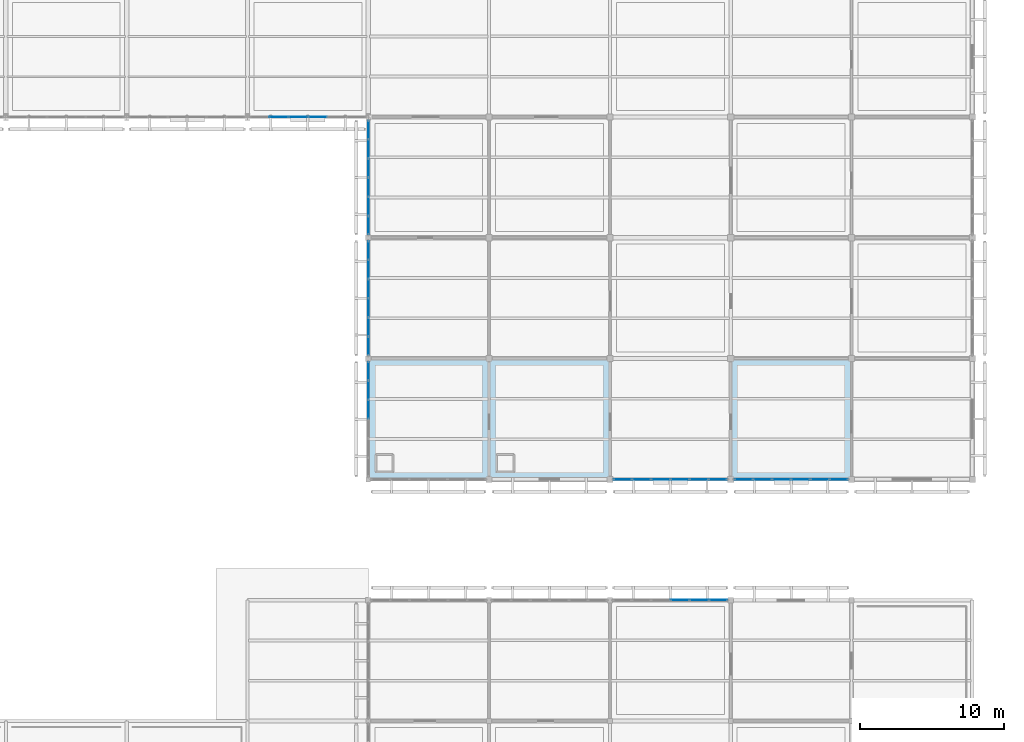
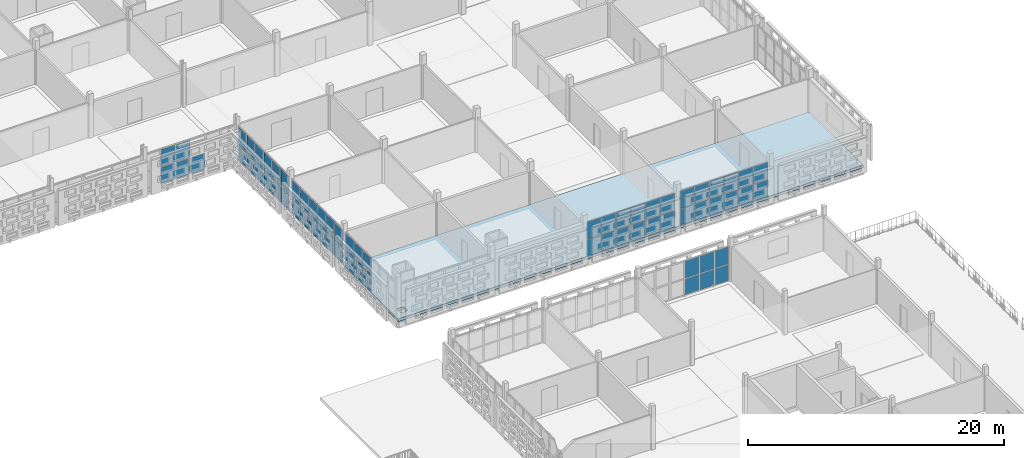
# One storey, part 91 of 166: 65 plates, 1 slab, 7 elements without a shape of their own.
"""IFC4 building model written with IfcOpenShell, lengths in metres."""

from ifc_helpers import new_model, si_unit, direction, frame, origin, origin_2d, place, context, subcontext, project, spatial, polyline, rectangle, outline, extrude, material, layer, layer_set, type_object, element, aggregate, save


model = new_model("IFC4")

# Units and contexts
model_context = context("Model", 3, precision=1e-05, world=origin(), true_north=direction((0.0, 1.0)))
body_context = subcontext(model_context, "Body", "Model", "MODEL_VIEW")
ifc_project = project(units=[si_unit("LENGTHUNIT", "METRE"), si_unit("AREAUNIT", "SQUARE_METRE"), si_unit("VOLUMEUNIT", "CUBIC_METRE"), si_unit("PLANEANGLEUNIT", "RADIAN"), si_unit("MASSUNIT", "GRAM", prefix="KILO")], contexts=[model_context])

# Site, building, storey
site_placement = place(None, origin())
site = spatial("IfcSite", under=ifc_project, at=site_placement, CompositionType="ELEMENT")
building_placement = place(site_placement, origin())
building = spatial("IfcBuilding", under=site, at=building_placement, Name="Varnapada Polytechnic", CompositionType="ELEMENT")
storey_placement = place(building_placement, frame((0.0, 0.0, 9.60009765625)))
storey = spatial("IfcBuildingStorey", under=building, at=storey_placement, Name="L02", CompositionType="ELEMENT", Elevation=9.60009765625)

# Curtain wall, plates
ifc_material_1 = material(Name="Double low-E laminated glass", Category="glass")
ifc_layer_1 = layer(ifc_material_1, 0.159912109375)
ifc_layer_set_1 = layer_set([ifc_layer_1], Name="Double low-E laminated glass")
curtain_wall_type_1 = type_object("IfcCurtainWallType", Name="Curtain Wall CW-01", PredefinedType="NOTDEFINED", material=ifc_layer_set_1)
curtain_wall_1_placement = place(storey_placement, origin())
curtain_wall_1 = element("IfcCurtainWall", 1, at=curtain_wall_1_placement, inside=storey, type_object=curtain_wall_type_1, Name="L02 unitised curtain wall CW-01 (180)", PredefinedType="NOTDEFINED")
ifc_layer_2 = layer(ifc_material_1, 0.028076171875)
ifc_layer_set_2 = layer_set([ifc_layer_2], Name="Double low-E laminated glass")
plate_type_1 = type_object("IfcPlateType", Name="Curtain Panel PNL-01", PredefinedType="CURTAIN_PANEL", material=ifc_layer_set_2)
plate_1_placement = place(storey_placement, frame((130.875, 84.0, 0.06005859375), z_axis=(0.0, 0.0, 1.0), x_axis=(-1.0, 0.0, 0.0)))
plate_1 = element("IfcPlate", 2, at=plate_1_placement, type_object=plate_type_1, Name="CW-01 panel 3.1", PredefinedType="CURTAIN_PANEL", context=body_context, shape_type="SweptSolid", body=[
    extrude(rectangle(XDim=1.2900390625, YDim=0.028076171875, at=origin_2d()), origin(), (0.0, 0.0, 1.0), 1.522705078125),
])
plate_2_placement = place(storey_placement, frame((129.52490234375, 84.0, 0.06005859375), z_axis=(0.0, 0.0, 1.0), x_axis=(-1.0, 0.0, 0.0)))
plate_2 = element("IfcPlate", 3, at=plate_2_placement, type_object=plate_type_1, Name="CW-01 panel 4.1", PredefinedType="CURTAIN_PANEL", context=body_context, shape_type="SweptSolid", body=[
    extrude(rectangle(XDim=1.2900390625, YDim=0.028076171875, at=origin_2d()), origin(), (0.0, 0.0, 1.0), 1.522705078125),
])
plate_3_placement = place(storey_placement, frame((129.52490234375, 84.0, 1.642578125), z_axis=(0.0, 0.0, 1.0), x_axis=(-1.0, 0.0, 0.0)))
plate_3 = element("IfcPlate", 4, at=plate_3_placement, type_object=plate_type_1, Name="CW-01 panel 4.2", PredefinedType="CURTAIN_PANEL", context=body_context, shape_type="SweptSolid", body=[
    extrude(rectangle(XDim=1.2900390625, YDim=0.028076171875, at=origin_2d()), origin(), (0.0, 0.0, 1.0), 1.6572265625),
])
plate_4_placement = place(storey_placement, frame((128.175048828125, 84.0, 0.06005859375), z_axis=(0.0, 0.0, 1.0), x_axis=(-1.0, 0.0, 0.0)))
plate_4 = element("IfcPlate", 5, at=plate_4_placement, type_object=plate_type_1, Name="CW-01 panel 5.1", PredefinedType="CURTAIN_PANEL", context=body_context, shape_type="SweptSolid", body=[
    extrude(rectangle(XDim=1.2900390625, YDim=0.028076171875, at=origin_2d()), origin(), (0.0, 0.0, 1.0), 1.522705078125),
])
plate_5_placement = place(storey_placement, frame((128.175048828125, 84.0, 1.642578125), z_axis=(0.0, 0.0, 1.0), x_axis=(-1.0, 0.0, 0.0)))
plate_5 = element("IfcPlate", 6, at=plate_5_placement, type_object=plate_type_1, Name="CW-01 panel 5.2", PredefinedType="CURTAIN_PANEL", context=body_context, shape_type="SweptSolid", body=[
    extrude(rectangle(XDim=1.2900390625, YDim=0.028076171875, at=origin_2d()), origin(), (0.0, 0.0, 1.0), 1.6572265625),
])
aggregate(curtain_wall_1, [plate_1, plate_2, plate_3, plate_4, plate_5])

curtain_wall_2_placement = place(storey_placement, origin())
curtain_wall_2 = element("IfcCurtainWall", 7, at=curtain_wall_2_placement, inside=storey, type_object=curtain_wall_type_1, Name="L02 unitised curtain wall CW-01 (189)", PredefinedType="NOTDEFINED")
plate_6_placement = place(storey_placement, frame((134.39990234375, 63.659912109375, 0.06005859375), z_axis=(0.0, 0.0, 1.0), x_axis=(0.0, 1.0, 0.0)))
plate_6 = element("IfcPlate", 8, at=plate_6_placement, type_object=plate_type_1, Name="CW-01 panel 4.1", PredefinedType="CURTAIN_PANEL", context=body_context, shape_type="SweptSolid", body=[
    extrude(rectangle(XDim=1.280029296875, YDim=0.028076171875, at=origin_2d()), origin(), (0.0, 0.0, 1.0), 1.522705078125),
])
plate_7_placement = place(storey_placement, frame((134.39990234375, 63.659912109375, 1.642578125), z_axis=(0.0, 0.0, 1.0), x_axis=(0.0, 1.0, 0.0)))
plate_7 = element("IfcPlate", 9, at=plate_7_placement, type_object=plate_type_1, Name="CW-01 panel 4.2", PredefinedType="CURTAIN_PANEL", context=body_context, shape_type="SweptSolid", body=[
    extrude(rectangle(XDim=1.280029296875, YDim=0.028076171875, at=origin_2d()), origin(), (0.0, 0.0, 1.0), 1.6572265625),
])
plate_8_placement = place(storey_placement, frame((134.39990234375, 65.0, 0.06005859375), z_axis=(0.0, 0.0, 1.0), x_axis=(0.0, 1.0, 0.0)))
plate_8 = element("IfcPlate", 10, at=plate_8_placement, type_object=plate_type_1, Name="CW-01 panel 5.1", PredefinedType="CURTAIN_PANEL", context=body_context, shape_type="SweptSolid", body=[
    extrude(rectangle(XDim=1.280029296875, YDim=0.028076171875, at=origin_2d()), origin(), (0.0, 0.0, 1.0), 1.522705078125),
])
plate_9_placement = place(storey_placement, frame((134.39990234375, 65.0, 1.642578125), z_axis=(0.0, 0.0, 1.0), x_axis=(0.0, 1.0, 0.0)))
plate_9 = element("IfcPlate", 11, at=plate_9_placement, type_object=plate_type_1, Name="CW-01 panel 5.2", PredefinedType="CURTAIN_PANEL", context=body_context, shape_type="SweptSolid", body=[
    extrude(rectangle(XDim=1.280029296875, YDim=0.028076171875, at=origin_2d()), origin(), (0.0, 0.0, 1.0), 1.6572265625),
])
plate_10_placement = place(storey_placement, frame((134.39990234375, 66.324951171875, 0.06005859375), z_axis=(0.0, 0.0, 1.0), x_axis=(0.0, 1.0, 0.0)))
plate_10 = element("IfcPlate", 12, at=plate_10_placement, type_object=plate_type_1, Name="CW-01 panel 6.1", PredefinedType="CURTAIN_PANEL", context=body_context, shape_type="SweptSolid", body=[
    extrude(rectangle(XDim=1.25, YDim=0.028076171875, at=origin_2d()), origin(), (0.0, 0.0, 1.0), 1.522705078125),
])
plate_11_placement = place(storey_placement, frame((134.39990234375, 66.324951171875, 1.642578125), z_axis=(0.0, 0.0, 1.0), x_axis=(0.0, 1.0, 0.0)))
plate_11 = element("IfcPlate", 13, at=plate_11_placement, type_object=plate_type_1, Name="CW-01 panel 6.2", PredefinedType="CURTAIN_PANEL", context=body_context, shape_type="SweptSolid", body=[
    extrude(rectangle(XDim=1.25, YDim=0.028076171875, at=origin_2d()), origin(), (0.0, 0.0, 1.0), 1.6572265625),
])
aggregate(curtain_wall_2, [plate_6, plate_7, plate_8, plate_9, plate_10, plate_11])

curtain_wall_3_placement = place(storey_placement, origin())
curtain_wall_3 = element("IfcCurtainWall", 14, at=curtain_wall_3_placement, inside=storey, type_object=curtain_wall_type_1, Name="L02 unitised curtain wall CW-01 (190)", PredefinedType="NOTDEFINED")
plate_12_placement = place(storey_placement, frame((134.39990234375, 68.0732421875, 0.06005859375), z_axis=(0.0, 0.0, 1.0), x_axis=(0.0, 1.0, 0.0)))
plate_12 = element("IfcPlate", 15, at=plate_12_placement, type_object=plate_type_1, Name="CW-01 panel 1.1", PredefinedType="CURTAIN_PANEL", context=body_context, shape_type="SweptSolid", body=[
    extrude(rectangle(XDim=1.24658203125, YDim=0.028076171875, at=origin_2d()), origin(), (0.0, 0.0, 1.0), 1.522705078125),
])
plate_13_placement = place(storey_placement, frame((134.39990234375, 68.0732421875, 1.642578125), z_axis=(0.0, 0.0, 1.0), x_axis=(0.0, 1.0, 0.0)))
plate_13 = element("IfcPlate", 16, at=plate_13_placement, type_object=plate_type_1, Name="CW-01 panel 1.2", PredefinedType="CURTAIN_PANEL", context=body_context, shape_type="SweptSolid", body=[
    extrude(rectangle(XDim=1.24658203125, YDim=0.028076171875, at=origin_2d()), origin(), (0.0, 0.0, 1.0), 1.6572265625),
])
plate_14_placement = place(storey_placement, frame((134.39990234375, 69.39501953125, 0.06005859375), z_axis=(0.0, 0.0, 1.0), x_axis=(0.0, 1.0, 0.0)))
plate_14 = element("IfcPlate", 17, at=plate_14_placement, type_object=plate_type_1, Name="CW-01 panel 2.1", PredefinedType="CURTAIN_PANEL", context=body_context, shape_type="SweptSolid", body=[
    extrude(rectangle(XDim=1.276611328125, YDim=0.028076171875, at=origin_2d()), origin(), (0.0, 0.0, 1.0), 1.522705078125),
])
plate_15_placement = place(storey_placement, frame((134.39990234375, 69.39501953125, 1.642578125), z_axis=(0.0, 0.0, 1.0), x_axis=(0.0, 1.0, 0.0)))
plate_15 = element("IfcPlate", 18, at=plate_15_placement, type_object=plate_type_1, Name="CW-01 panel 2.2", PredefinedType="CURTAIN_PANEL", context=body_context, shape_type="SweptSolid", body=[
    extrude(rectangle(XDim=1.276611328125, YDim=0.028076171875, at=origin_2d()), origin(), (0.0, 0.0, 1.0), 1.6572265625),
])
plate_16_placement = place(storey_placement, frame((134.39990234375, 70.731689453125, 0.06005859375), z_axis=(0.0, 0.0, 1.0), x_axis=(0.0, 1.0, 0.0)))
plate_16 = element("IfcPlate", 19, at=plate_16_placement, type_object=plate_type_1, Name="CW-01 panel 3.1", PredefinedType="CURTAIN_PANEL", context=body_context, shape_type="SweptSolid", body=[
    extrude(rectangle(XDim=1.276611328125, YDim=0.028076171875, at=origin_2d()), origin(), (0.0, 0.0, 1.0), 1.522705078125),
])
plate_17_placement = place(storey_placement, frame((134.39990234375, 70.731689453125, 1.642578125), z_axis=(0.0, 0.0, 1.0), x_axis=(0.0, 1.0, 0.0)))
plate_17 = element("IfcPlate", 20, at=plate_17_placement, type_object=plate_type_1, Name="CW-01 panel 3.2", PredefinedType="CURTAIN_PANEL", context=body_context, shape_type="SweptSolid", body=[
    extrude(rectangle(XDim=1.276611328125, YDim=0.028076171875, at=origin_2d()), origin(), (0.0, 0.0, 1.0), 1.6572265625),
])
plate_18_placement = place(storey_placement, frame((134.39990234375, 72.068359375, 0.06005859375), z_axis=(0.0, 0.0, 1.0), x_axis=(0.0, 1.0, 0.0)))
plate_18 = element("IfcPlate", 21, at=plate_18_placement, type_object=plate_type_1, Name="CW-01 panel 4.1", PredefinedType="CURTAIN_PANEL", context=body_context, shape_type="SweptSolid", body=[
    extrude(rectangle(XDim=1.276611328125, YDim=0.028076171875, at=origin_2d()), origin(), (0.0, 0.0, 1.0), 1.522705078125),
])
plate_19_placement = place(storey_placement, frame((134.39990234375, 72.068359375, 1.642578125), z_axis=(0.0, 0.0, 1.0), x_axis=(0.0, 1.0, 0.0)))
plate_19 = element("IfcPlate", 22, at=plate_19_placement, type_object=plate_type_1, Name="CW-01 panel 4.2", PredefinedType="CURTAIN_PANEL", context=body_context, shape_type="SweptSolid", body=[
    extrude(rectangle(XDim=1.276611328125, YDim=0.028076171875, at=origin_2d()), origin(), (0.0, 0.0, 1.0), 1.6572265625),
])
plate_20_placement = place(storey_placement, frame((134.39990234375, 73.405029296875, 0.06005859375), z_axis=(0.0, 0.0, 1.0), x_axis=(0.0, 1.0, 0.0)))
plate_20 = element("IfcPlate", 23, at=plate_20_placement, type_object=plate_type_1, Name="CW-01 panel 5.1", PredefinedType="CURTAIN_PANEL", context=body_context, shape_type="SweptSolid", body=[
    extrude(rectangle(XDim=1.276611328125, YDim=0.028076171875, at=origin_2d()), origin(), (0.0, 0.0, 1.0), 1.522705078125),
])
plate_21_placement = place(storey_placement, frame((134.39990234375, 73.405029296875, 1.642578125), z_axis=(0.0, 0.0, 1.0), x_axis=(0.0, 1.0, 0.0)))
plate_21 = element("IfcPlate", 24, at=plate_21_placement, type_object=plate_type_1, Name="CW-01 panel 5.2", PredefinedType="CURTAIN_PANEL", context=body_context, shape_type="SweptSolid", body=[
    extrude(rectangle(XDim=1.276611328125, YDim=0.028076171875, at=origin_2d()), origin(), (0.0, 0.0, 1.0), 1.6572265625),
])
plate_22_placement = place(storey_placement, frame((134.39990234375, 74.7265625, 0.06005859375), z_axis=(0.0, 0.0, 1.0), x_axis=(0.0, 1.0, 0.0)))
plate_22 = element("IfcPlate", 25, at=plate_22_placement, type_object=plate_type_1, Name="CW-01 panel 6.1", PredefinedType="CURTAIN_PANEL", context=body_context, shape_type="SweptSolid", body=[
    extrude(rectangle(XDim=1.24658203125, YDim=0.028076171875, at=origin_2d()), origin(), (0.0, 0.0, 1.0), 1.522705078125),
])
plate_23_placement = place(storey_placement, frame((134.39990234375, 74.7265625, 1.642578125), z_axis=(0.0, 0.0, 1.0), x_axis=(0.0, 1.0, 0.0)))
plate_23 = element("IfcPlate", 26, at=plate_23_placement, type_object=plate_type_1, Name="CW-01 panel 6.2", PredefinedType="CURTAIN_PANEL", context=body_context, shape_type="SweptSolid", body=[
    extrude(rectangle(XDim=1.24658203125, YDim=0.028076171875, at=origin_2d()), origin(), (0.0, 0.0, 1.0), 1.6572265625),
])
aggregate(curtain_wall_3, [plate_12, plate_13, plate_14, plate_15, plate_16, plate_17, plate_18, plate_19, plate_20, plate_21, plate_22, plate_23])

curtain_wall_4_placement = place(storey_placement, origin())
curtain_wall_4 = element("IfcCurtainWall", 27, at=curtain_wall_4_placement, inside=storey, type_object=curtain_wall_type_1, Name="L02 unitised curtain wall CW-01 (191)", PredefinedType="NOTDEFINED")
plate_24_placement = place(storey_placement, frame((134.39990234375, 76.470947265625, 0.06005859375), z_axis=(0.0, 0.0, 1.0), x_axis=(0.0, 1.0, 0.0)))
plate_24 = element("IfcPlate", 28, at=plate_24_placement, type_object=plate_type_1, Name="CW-01 panel 1.1", PredefinedType="CURTAIN_PANEL", context=body_context, shape_type="SweptSolid", body=[
    extrude(rectangle(XDim=1.24169921875, YDim=0.028076171875, at=origin_2d()), origin(), (0.0, 0.0, 1.0), 1.522705078125),
])
plate_25_placement = place(storey_placement, frame((134.39990234375, 76.470947265625, 1.642578125), z_axis=(0.0, 0.0, 1.0), x_axis=(0.0, 1.0, 0.0)))
plate_25 = element("IfcPlate", 29, at=plate_25_placement, type_object=plate_type_1, Name="CW-01 panel 1.2", PredefinedType="CURTAIN_PANEL", context=body_context, shape_type="SweptSolid", body=[
    extrude(rectangle(XDim=1.24169921875, YDim=0.028076171875, at=origin_2d()), origin(), (0.0, 0.0, 1.0), 1.6572265625),
])
plate_26_placement = place(storey_placement, frame((134.39990234375, 77.78759765625, 0.06005859375), z_axis=(0.0, 0.0, 1.0), x_axis=(0.0, 1.0, 0.0)))
plate_26 = element("IfcPlate", 30, at=plate_26_placement, type_object=plate_type_1, Name="CW-01 panel 2.1", PredefinedType="CURTAIN_PANEL", context=body_context, shape_type="SweptSolid", body=[
    extrude(rectangle(XDim=1.271728515625, YDim=0.028076171875, at=origin_2d()), origin(), (0.0, 0.0, 1.0), 1.522705078125),
])
plate_27_placement = place(storey_placement, frame((134.39990234375, 77.78759765625, 1.642578125), z_axis=(0.0, 0.0, 1.0), x_axis=(0.0, 1.0, 0.0)))
plate_27 = element("IfcPlate", 31, at=plate_27_placement, type_object=plate_type_1, Name="CW-01 panel 2.2", PredefinedType="CURTAIN_PANEL", context=body_context, shape_type="SweptSolid", body=[
    extrude(rectangle(XDim=1.271728515625, YDim=0.028076171875, at=origin_2d()), origin(), (0.0, 0.0, 1.0), 1.6572265625),
])
plate_28_placement = place(storey_placement, frame((134.39990234375, 79.119140625, 0.06005859375), z_axis=(0.0, 0.0, 1.0), x_axis=(0.0, 1.0, 0.0)))
plate_28 = element("IfcPlate", 32, at=plate_28_placement, type_object=plate_type_1, Name="CW-01 panel 3.1", PredefinedType="CURTAIN_PANEL", context=body_context, shape_type="SweptSolid", body=[
    extrude(rectangle(XDim=1.271728515625, YDim=0.028076171875, at=origin_2d()), origin(), (0.0, 0.0, 1.0), 1.522705078125),
])
plate_29_placement = place(storey_placement, frame((134.39990234375, 79.119140625, 1.642578125), z_axis=(0.0, 0.0, 1.0), x_axis=(0.0, 1.0, 0.0)))
plate_29 = element("IfcPlate", 33, at=plate_29_placement, type_object=plate_type_1, Name="CW-01 panel 3.2", PredefinedType="CURTAIN_PANEL", context=body_context, shape_type="SweptSolid", body=[
    extrude(rectangle(XDim=1.271728515625, YDim=0.028076171875, at=origin_2d()), origin(), (0.0, 0.0, 1.0), 1.6572265625),
])
plate_30_placement = place(storey_placement, frame((134.39990234375, 80.450927734375, 0.06005859375), z_axis=(0.0, 0.0, 1.0), x_axis=(0.0, 1.0, 0.0)))
plate_30 = element("IfcPlate", 34, at=plate_30_placement, type_object=plate_type_1, Name="CW-01 panel 4.1", PredefinedType="CURTAIN_PANEL", context=body_context, shape_type="SweptSolid", body=[
    extrude(rectangle(XDim=1.271728515625, YDim=0.028076171875, at=origin_2d()), origin(), (0.0, 0.0, 1.0), 1.522705078125),
])
plate_31_placement = place(storey_placement, frame((134.39990234375, 80.450927734375, 1.642578125), z_axis=(0.0, 0.0, 1.0), x_axis=(0.0, 1.0, 0.0)))
plate_31 = element("IfcPlate", 35, at=plate_31_placement, type_object=plate_type_1, Name="CW-01 panel 4.2", PredefinedType="CURTAIN_PANEL", context=body_context, shape_type="SweptSolid", body=[
    extrude(rectangle(XDim=1.271728515625, YDim=0.028076171875, at=origin_2d()), origin(), (0.0, 0.0, 1.0), 1.6572265625),
])
plate_32_placement = place(storey_placement, frame((134.39990234375, 81.782470703125, 0.06005859375), z_axis=(0.0, 0.0, 1.0), x_axis=(0.0, 1.0, 0.0)))
plate_32 = element("IfcPlate", 36, at=plate_32_placement, type_object=plate_type_1, Name="CW-01 panel 5.1", PredefinedType="CURTAIN_PANEL", context=body_context, shape_type="SweptSolid", body=[
    extrude(rectangle(XDim=1.271728515625, YDim=0.028076171875, at=origin_2d()), origin(), (0.0, 0.0, 1.0), 1.522705078125),
])
plate_33_placement = place(storey_placement, frame((134.39990234375, 81.782470703125, 1.642578125), z_axis=(0.0, 0.0, 1.0), x_axis=(0.0, 1.0, 0.0)))
plate_33 = element("IfcPlate", 37, at=plate_33_placement, type_object=plate_type_1, Name="CW-01 panel 5.2", PredefinedType="CURTAIN_PANEL", context=body_context, shape_type="SweptSolid", body=[
    extrude(rectangle(XDim=1.271728515625, YDim=0.028076171875, at=origin_2d()), origin(), (0.0, 0.0, 1.0), 1.6572265625),
])
plate_34_placement = place(storey_placement, frame((134.39990234375, 83.09912109375, 0.06005859375), z_axis=(0.0, 0.0, 1.0), x_axis=(0.0, 1.0, 0.0)))
plate_34 = element("IfcPlate", 38, at=plate_34_placement, type_object=plate_type_1, Name="CW-01 panel 6.1", PredefinedType="CURTAIN_PANEL", context=body_context, shape_type="SweptSolid", body=[
    extrude(rectangle(XDim=1.24169921875, YDim=0.028076171875, at=origin_2d()), origin(), (0.0, 0.0, 1.0), 1.522705078125),
])
plate_35_placement = place(storey_placement, frame((134.39990234375, 83.09912109375, 1.642578125), z_axis=(0.0, 0.0, 1.0), x_axis=(0.0, 1.0, 0.0)))
plate_35 = element("IfcPlate", 39, at=plate_35_placement, type_object=plate_type_1, Name="CW-01 panel 6.2", PredefinedType="CURTAIN_PANEL", context=body_context, shape_type="SweptSolid", body=[
    extrude(rectangle(XDim=1.24169921875, YDim=0.028076171875, at=origin_2d()), origin(), (0.0, 0.0, 1.0), 1.6572265625),
])
aggregate(curtain_wall_4, [plate_24, plate_25, plate_26, plate_27, plate_28, plate_29, plate_30, plate_31, plate_32, plate_33, plate_34, plate_35])

ifc_layer_3 = layer(ifc_material_1, 0.179931640625)
ifc_layer_set_3 = layer_set([ifc_layer_3], Name="Double low-E laminated glass")
curtain_wall_type_2 = type_object("IfcCurtainWallType", Name="Curtain Wall CW-04", PredefinedType="NOTDEFINED", material=ifc_layer_set_3)
curtain_wall_5_placement = place(storey_placement, origin())
curtain_wall_5 = element("IfcCurtainWall", 40, at=curtain_wall_5_placement, inside=storey, type_object=curtain_wall_type_2, Name="L02 unitised curtain wall CW-04 (195)", PredefinedType="NOTDEFINED")
ifc_layer_4 = layer(ifc_material_1, 0.031982421875)
ifc_layer_set_4 = layer_set([ifc_layer_4], Name="Double low-E laminated glass")
plate_type_2 = type_object("IfcPlateType", Name="Curtain Panel PNL-02", PredefinedType="CURTAIN_PANEL", material=ifc_layer_set_4)
plate_36_placement = place(storey_placement, frame((156.070068359375, 50.39990234375, 0.06494140625), z_axis=(0.0, 0.0, 1.0), x_axis=(1.0, 0.0, 0.0)))
plate_36 = element("IfcPlate", 41, at=plate_36_placement, type_object=plate_type_2, Name="CW-04 panel 4.1", PredefinedType="CURTAIN_PANEL", context=body_context, shape_type="SweptSolid", body=[
    extrude(rectangle(XDim=1.27490234375, YDim=0.031982421875, at=origin_2d()), origin(), (0.0, 0.0, 1.0), 1.515380859375),
])
plate_37_placement = place(storey_placement, frame((156.070068359375, 50.39990234375, 1.64501953125), z_axis=(0.0, 0.0, 1.0), x_axis=(1.0, 0.0, 0.0)))
plate_37 = element("IfcPlate", 42, at=plate_37_placement, type_object=plate_type_2, Name="CW-04 panel 4.2", PredefinedType="CURTAIN_PANEL", context=body_context, shape_type="SweptSolid", body=[
    extrude(rectangle(XDim=1.27490234375, YDim=0.031982421875, at=origin_2d()), origin(), (0.0, 0.0, 1.0), 1.649658203125),
])
plate_38_placement = place(storey_placement, frame((157.409912109375, 50.39990234375, 0.06494140625), z_axis=(0.0, 0.0, 1.0), x_axis=(1.0, 0.0, 0.0)))
plate_38 = element("IfcPlate", 43, at=plate_38_placement, type_object=plate_type_2, Name="CW-04 panel 5.1", PredefinedType="CURTAIN_PANEL", context=body_context, shape_type="SweptSolid", body=[
    extrude(rectangle(XDim=1.27490234375, YDim=0.031982421875, at=origin_2d()), origin(), (0.0, 0.0, 1.0), 1.515380859375),
])
plate_39_placement = place(storey_placement, frame((157.409912109375, 50.39990234375, 1.64501953125), z_axis=(0.0, 0.0, 1.0), x_axis=(1.0, 0.0, 0.0)))
plate_39 = element("IfcPlate", 44, at=plate_39_placement, type_object=plate_type_2, Name="CW-04 panel 5.2", PredefinedType="CURTAIN_PANEL", context=body_context, shape_type="SweptSolid", body=[
    extrude(rectangle(XDim=1.27490234375, YDim=0.031982421875, at=origin_2d()), origin(), (0.0, 0.0, 1.0), 1.649658203125),
])
plate_40_placement = place(storey_placement, frame((158.733642578125, 50.39990234375, 0.06494140625), z_axis=(0.0, 0.0, 1.0), x_axis=(1.0, 0.0, 0.0)))
plate_40 = element("IfcPlate", 45, at=plate_40_placement, type_object=plate_type_2, Name="CW-04 panel 6.1", PredefinedType="CURTAIN_PANEL", context=body_context, shape_type="SweptSolid", body=[
    extrude(rectangle(XDim=1.242431640625, YDim=0.031982421875, at=origin_2d()), origin(), (0.0, 0.0, 1.0), 1.515380859375),
])
plate_41_placement = place(storey_placement, frame((158.733642578125, 50.39990234375, 1.64501953125), z_axis=(0.0, 0.0, 1.0), x_axis=(1.0, 0.0, 0.0)))
plate_41 = element("IfcPlate", 46, at=plate_41_placement, type_object=plate_type_2, Name="CW-04 panel 6.2", PredefinedType="CURTAIN_PANEL", context=body_context, shape_type="SweptSolid", body=[
    extrude(rectangle(XDim=1.242431640625, YDim=0.031982421875, at=origin_2d()), origin(), (0.0, 0.0, 1.0), 1.649658203125),
])
aggregate(curtain_wall_5, [plate_36, plate_37, plate_38, plate_39, plate_40, plate_41])

curtain_wall_6_placement = place(storey_placement, origin())
curtain_wall_6 = element("IfcCurtainWall", 47, at=curtain_wall_6_placement, inside=storey, type_object=curtain_wall_type_2, Name="L02 unitised curtain wall CW-04 (196)", PredefinedType="NOTDEFINED")
plate_42_placement = place(storey_placement, frame((158.708740234375, 58.800048828125, 0.06494140625), z_axis=(0.0, 0.0, 1.0), x_axis=(-1.0, 0.0, 0.0)))
plate_42 = element("IfcPlate", 48, at=plate_42_placement, type_object=plate_type_2, Name="CW-04 panel 1.1", PredefinedType="CURTAIN_PANEL", context=body_context, shape_type="SweptSolid", body=[
    extrude(rectangle(XDim=1.232421875, YDim=0.031982421875, at=origin_2d()), origin(), (0.0, 0.0, 1.0), 1.515380859375),
])
plate_43_placement = place(storey_placement, frame((158.708740234375, 58.800048828125, 1.64501953125), z_axis=(0.0, 0.0, 1.0), x_axis=(-1.0, 0.0, 0.0)))
plate_43 = element("IfcPlate", 49, at=plate_43_placement, type_object=plate_type_2, Name="CW-04 panel 1.2", PredefinedType="CURTAIN_PANEL", context=body_context, shape_type="SweptSolid", body=[
    extrude(rectangle(XDim=1.232421875, YDim=0.031982421875, at=origin_2d()), origin(), (0.0, 0.0, 1.0), 1.649658203125),
])
plate_44_placement = place(storey_placement, frame((157.39501953125, 58.800048828125, 0.06494140625), z_axis=(0.0, 0.0, 1.0), x_axis=(-1.0, 0.0, 0.0)))
plate_44 = element("IfcPlate", 50, at=plate_44_placement, type_object=plate_type_2, Name="CW-04 panel 2.1", PredefinedType="CURTAIN_PANEL", context=body_context, shape_type="SweptSolid", body=[
    extrude(rectangle(XDim=1.264892578125, YDim=0.031982421875, at=origin_2d()), origin(), (0.0, 0.0, 1.0), 1.515380859375),
])
plate_45_placement = place(storey_placement, frame((157.39501953125, 58.800048828125, 1.64501953125), z_axis=(0.0, 0.0, 1.0), x_axis=(-1.0, 0.0, 0.0)))
plate_45 = element("IfcPlate", 51, at=plate_45_placement, type_object=plate_type_2, Name="CW-04 panel 2.2", PredefinedType="CURTAIN_PANEL", context=body_context, shape_type="SweptSolid", body=[
    extrude(rectangle(XDim=1.264892578125, YDim=0.031982421875, at=origin_2d()), origin(), (0.0, 0.0, 1.0), 1.649658203125),
])
plate_46_placement = place(storey_placement, frame((156.06494140625, 58.800048828125, 0.06494140625), z_axis=(0.0, 0.0, 1.0), x_axis=(-1.0, 0.0, 0.0)))
plate_46 = element("IfcPlate", 52, at=plate_46_placement, type_object=plate_type_2, Name="CW-04 panel 3.1", PredefinedType="CURTAIN_PANEL", context=body_context, shape_type="SweptSolid", body=[
    extrude(rectangle(XDim=1.264892578125, YDim=0.031982421875, at=origin_2d()), origin(), (0.0, 0.0, 1.0), 1.515380859375),
])
plate_47_placement = place(storey_placement, frame((156.06494140625, 58.800048828125, 1.64501953125), z_axis=(0.0, 0.0, 1.0), x_axis=(-1.0, 0.0, 0.0)))
plate_47 = element("IfcPlate", 53, at=plate_47_placement, type_object=plate_type_2, Name="CW-04 panel 3.2", PredefinedType="CURTAIN_PANEL", context=body_context, shape_type="SweptSolid", body=[
    extrude(rectangle(XDim=1.264892578125, YDim=0.031982421875, at=origin_2d()), origin(), (0.0, 0.0, 1.0), 1.649658203125),
])
plate_48_placement = place(storey_placement, frame((154.735107421875, 58.800048828125, 0.06494140625), z_axis=(0.0, 0.0, 1.0), x_axis=(-1.0, 0.0, 0.0)))
plate_48 = element("IfcPlate", 54, at=plate_48_placement, type_object=plate_type_2, Name="CW-04 panel 4.1", PredefinedType="CURTAIN_PANEL", context=body_context, shape_type="SweptSolid", body=[
    extrude(rectangle(XDim=1.264892578125, YDim=0.031982421875, at=origin_2d()), origin(), (0.0, 0.0, 1.0), 1.515380859375),
])
plate_49_placement = place(storey_placement, frame((154.735107421875, 58.800048828125, 1.64501953125), z_axis=(0.0, 0.0, 1.0), x_axis=(-1.0, 0.0, 0.0)))
plate_49 = element("IfcPlate", 55, at=plate_49_placement, type_object=plate_type_2, Name="CW-04 panel 4.2", PredefinedType="CURTAIN_PANEL", context=body_context, shape_type="SweptSolid", body=[
    extrude(rectangle(XDim=1.264892578125, YDim=0.031982421875, at=origin_2d()), origin(), (0.0, 0.0, 1.0), 1.649658203125),
])
plate_50_placement = place(storey_placement, frame((153.405029296875, 58.800048828125, 0.06494140625), z_axis=(0.0, 0.0, 1.0), x_axis=(-1.0, 0.0, 0.0)))
plate_50 = element("IfcPlate", 56, at=plate_50_placement, type_object=plate_type_2, Name="CW-04 panel 5.1", PredefinedType="CURTAIN_PANEL", context=body_context, shape_type="SweptSolid", body=[
    extrude(rectangle(XDim=1.264892578125, YDim=0.031982421875, at=origin_2d()), origin(), (0.0, 0.0, 1.0), 1.515380859375),
])
plate_51_placement = place(storey_placement, frame((153.405029296875, 58.800048828125, 1.64501953125), z_axis=(0.0, 0.0, 1.0), x_axis=(-1.0, 0.0, 0.0)))
plate_51 = element("IfcPlate", 57, at=plate_51_placement, type_object=plate_type_2, Name="CW-04 panel 5.2", PredefinedType="CURTAIN_PANEL", context=body_context, shape_type="SweptSolid", body=[
    extrude(rectangle(XDim=1.264892578125, YDim=0.031982421875, at=origin_2d()), origin(), (0.0, 0.0, 1.0), 1.649658203125),
])
plate_52_placement = place(storey_placement, frame((152.09130859375, 58.800048828125, 0.06494140625), z_axis=(0.0, 0.0, 1.0), x_axis=(-1.0, 0.0, 0.0)))
plate_52 = element("IfcPlate", 58, at=plate_52_placement, type_object=plate_type_2, Name="CW-04 panel 6.1", PredefinedType="CURTAIN_PANEL", context=body_context, shape_type="SweptSolid", body=[
    extrude(rectangle(XDim=1.232421875, YDim=0.031982421875, at=origin_2d()), origin(), (0.0, 0.0, 1.0), 1.515380859375),
])
plate_53_placement = place(storey_placement, frame((152.09130859375, 58.800048828125, 1.64501953125), z_axis=(0.0, 0.0, 1.0), x_axis=(-1.0, 0.0, 0.0)))
plate_53 = element("IfcPlate", 59, at=plate_53_placement, type_object=plate_type_2, Name="CW-04 panel 6.2", PredefinedType="CURTAIN_PANEL", context=body_context, shape_type="SweptSolid", body=[
    extrude(rectangle(XDim=1.232421875, YDim=0.031982421875, at=origin_2d()), origin(), (0.0, 0.0, 1.0), 1.649658203125),
])
aggregate(curtain_wall_6, [plate_42, plate_43, plate_44, plate_45, plate_46, plate_47, plate_48, plate_49, plate_50, plate_51, plate_52, plate_53])

curtain_wall_7_placement = place(storey_placement, origin())
curtain_wall_7 = element("IfcCurtainWall", 60, at=curtain_wall_7_placement, inside=storey, type_object=curtain_wall_type_2, Name="L02 unitised curtain wall CW-04 (199)", PredefinedType="NOTDEFINED")
plate_54_placement = place(storey_placement, frame((167.108642578125, 58.800048828125, 0.06494140625), z_axis=(0.0, 0.0, 1.0), x_axis=(-1.0, 0.0, 0.0)))
plate_54 = element("IfcPlate", 61, at=plate_54_placement, type_object=plate_type_2, Name="CW-04 panel 1.1", PredefinedType="CURTAIN_PANEL", context=body_context, shape_type="SweptSolid", body=[
    extrude(rectangle(XDim=1.232421875, YDim=0.031982421875, at=origin_2d()), origin(), (0.0, 0.0, 1.0), 1.515380859375),
])
plate_55_placement = place(storey_placement, frame((167.108642578125, 58.800048828125, 1.64501953125), z_axis=(0.0, 0.0, 1.0), x_axis=(-1.0, 0.0, 0.0)))
plate_55 = element("IfcPlate", 62, at=plate_55_placement, type_object=plate_type_2, Name="CW-04 panel 1.2", PredefinedType="CURTAIN_PANEL", context=body_context, shape_type="SweptSolid", body=[
    extrude(rectangle(XDim=1.232421875, YDim=0.031982421875, at=origin_2d()), origin(), (0.0, 0.0, 1.0), 1.649658203125),
])
plate_56_placement = place(storey_placement, frame((165.794921875, 58.800048828125, 0.06494140625), z_axis=(0.0, 0.0, 1.0), x_axis=(-1.0, 0.0, 0.0)))
plate_56 = element("IfcPlate", 63, at=plate_56_placement, type_object=plate_type_2, Name="CW-04 panel 2.1", PredefinedType="CURTAIN_PANEL", context=body_context, shape_type="SweptSolid", body=[
    extrude(rectangle(XDim=1.264892578125, YDim=0.031982421875, at=origin_2d()), origin(), (0.0, 0.0, 1.0), 1.515380859375),
])
plate_57_placement = place(storey_placement, frame((165.794921875, 58.800048828125, 1.64501953125), z_axis=(0.0, 0.0, 1.0), x_axis=(-1.0, 0.0, 0.0)))
plate_57 = element("IfcPlate", 64, at=plate_57_placement, type_object=plate_type_2, Name="CW-04 panel 2.2", PredefinedType="CURTAIN_PANEL", context=body_context, shape_type="SweptSolid", body=[
    extrude(rectangle(XDim=1.264892578125, YDim=0.031982421875, at=origin_2d()), origin(), (0.0, 0.0, 1.0), 1.649658203125),
])
plate_58_placement = place(storey_placement, frame((164.465087890625, 58.800048828125, 0.06494140625), z_axis=(0.0, 0.0, 1.0), x_axis=(-1.0, 0.0, 0.0)))
plate_58 = element("IfcPlate", 65, at=plate_58_placement, type_object=plate_type_2, Name="CW-04 panel 3.1", PredefinedType="CURTAIN_PANEL", context=body_context, shape_type="SweptSolid", body=[
    extrude(rectangle(XDim=1.264892578125, YDim=0.031982421875, at=origin_2d()), origin(), (0.0, 0.0, 1.0), 1.515380859375),
])
plate_59_placement = place(storey_placement, frame((164.465087890625, 58.800048828125, 1.64501953125), z_axis=(0.0, 0.0, 1.0), x_axis=(-1.0, 0.0, 0.0)))
plate_59 = element("IfcPlate", 66, at=plate_59_placement, type_object=plate_type_2, Name="CW-04 panel 3.2", PredefinedType="CURTAIN_PANEL", context=body_context, shape_type="SweptSolid", body=[
    extrude(rectangle(XDim=1.264892578125, YDim=0.031982421875, at=origin_2d()), origin(), (0.0, 0.0, 1.0), 1.649658203125),
])
plate_60_placement = place(storey_placement, frame((163.135009765625, 58.800048828125, 0.06494140625), z_axis=(0.0, 0.0, 1.0), x_axis=(-1.0, 0.0, 0.0)))
plate_60 = element("IfcPlate", 67, at=plate_60_placement, type_object=plate_type_2, Name="CW-04 panel 4.1", PredefinedType="CURTAIN_PANEL", context=body_context, shape_type="SweptSolid", body=[
    extrude(rectangle(XDim=1.264892578125, YDim=0.031982421875, at=origin_2d()), origin(), (0.0, 0.0, 1.0), 1.515380859375),
])
plate_61_placement = place(storey_placement, frame((163.135009765625, 58.800048828125, 1.64501953125), z_axis=(0.0, 0.0, 1.0), x_axis=(-1.0, 0.0, 0.0)))
plate_61 = element("IfcPlate", 68, at=plate_61_placement, type_object=plate_type_2, Name="CW-04 panel 4.2", PredefinedType="CURTAIN_PANEL", context=body_context, shape_type="SweptSolid", body=[
    extrude(rectangle(XDim=1.264892578125, YDim=0.031982421875, at=origin_2d()), origin(), (0.0, 0.0, 1.0), 1.649658203125),
])
plate_62_placement = place(storey_placement, frame((161.804931640625, 58.800048828125, 0.06494140625), z_axis=(0.0, 0.0, 1.0), x_axis=(-1.0, 0.0, 0.0)))
plate_62 = element("IfcPlate", 69, at=plate_62_placement, type_object=plate_type_2, Name="CW-04 panel 5.1", PredefinedType="CURTAIN_PANEL", context=body_context, shape_type="SweptSolid", body=[
    extrude(rectangle(XDim=1.264892578125, YDim=0.031982421875, at=origin_2d()), origin(), (0.0, 0.0, 1.0), 1.515380859375),
])
plate_63_placement = place(storey_placement, frame((161.804931640625, 58.800048828125, 1.64501953125), z_axis=(0.0, 0.0, 1.0), x_axis=(-1.0, 0.0, 0.0)))
plate_63 = element("IfcPlate", 70, at=plate_63_placement, type_object=plate_type_2, Name="CW-04 panel 5.2", PredefinedType="CURTAIN_PANEL", context=body_context, shape_type="SweptSolid", body=[
    extrude(rectangle(XDim=1.264892578125, YDim=0.031982421875, at=origin_2d()), origin(), (0.0, 0.0, 1.0), 1.649658203125),
])
plate_64_placement = place(storey_placement, frame((160.4912109375, 58.800048828125, 0.06494140625), z_axis=(0.0, 0.0, 1.0), x_axis=(-1.0, 0.0, 0.0)))
plate_64 = element("IfcPlate", 71, at=plate_64_placement, type_object=plate_type_2, Name="CW-04 panel 6.1", PredefinedType="CURTAIN_PANEL", context=body_context, shape_type="SweptSolid", body=[
    extrude(rectangle(XDim=1.232421875, YDim=0.031982421875, at=origin_2d()), origin(), (0.0, 0.0, 1.0), 1.515380859375),
])
plate_65_placement = place(storey_placement, frame((160.4912109375, 58.800048828125, 1.64501953125), z_axis=(0.0, 0.0, 1.0), x_axis=(-1.0, 0.0, 0.0)))
plate_65 = element("IfcPlate", 72, at=plate_65_placement, type_object=plate_type_2, Name="CW-04 panel 6.2", PredefinedType="CURTAIN_PANEL", context=body_context, shape_type="SweptSolid", body=[
    extrude(rectangle(XDim=1.232421875, YDim=0.031982421875, at=origin_2d()), origin(), (0.0, 0.0, 1.0), 1.649658203125),
])
aggregate(curtain_wall_7, [plate_54, plate_55, plate_56, plate_57, plate_58, plate_59, plate_60, plate_61, plate_62, plate_63, plate_64, plate_65])

# Slab
ifc_material_2 = material(Name="Cross-laminated timber CLT C24", Category="wood")
ifc_layer_5 = layer(ifc_material_2, 0.25)
ifc_layer_set_5 = layer_set([ifc_layer_5], Name="Cross-laminated timber CLT C24")
slab_type = type_object("IfcSlabType", Name="L01/L02 library & union CLT composite slab SL-05", PredefinedType="FLOOR", material=ifc_layer_set_5)
slab_placement = place(storey_placement, frame((0.0, 0.0, -0.25)))
element("IfcSlab", 73, at=slab_placement, inside=storey, type_object=slab_type, Name="L02 V5 slab 1.1", PredefinedType="FLOOR", context=body_context, shape_type="SweptSolid", body=[
    extrude(outline(polyline([(134.39990234375, 67.199951171875), (142.800048828125, 67.199951171875), (151.199951171875, 67.199951171875), (159.60009765625, 67.199951171875), (168.0, 67.199951171875), (176.39990234375, 67.199951171875), (176.39990234375, 58.800048828125), (168.0, 58.800048828125), (159.60009765625, 58.800048828125), (151.199951171875, 58.800048828125), (142.800048828125, 58.800048828125), (134.39990234375, 58.800048828125), (134.39990234375, 67.199951171875)]), holes=[polyline([(135.050048828125, 59.449951171875), (135.64990234375, 59.449951171875), (135.64990234375, 60.050048828125), (135.050048828125, 60.050048828125), (135.050048828125, 59.449951171875)])]), origin(), (0.0, 0.0, 1.0), 0.25),
])

save(model, "model.ifc")
